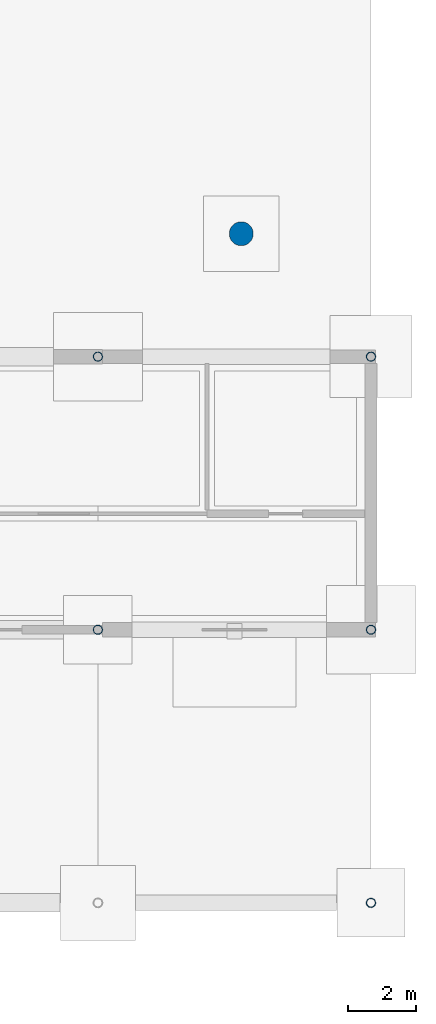
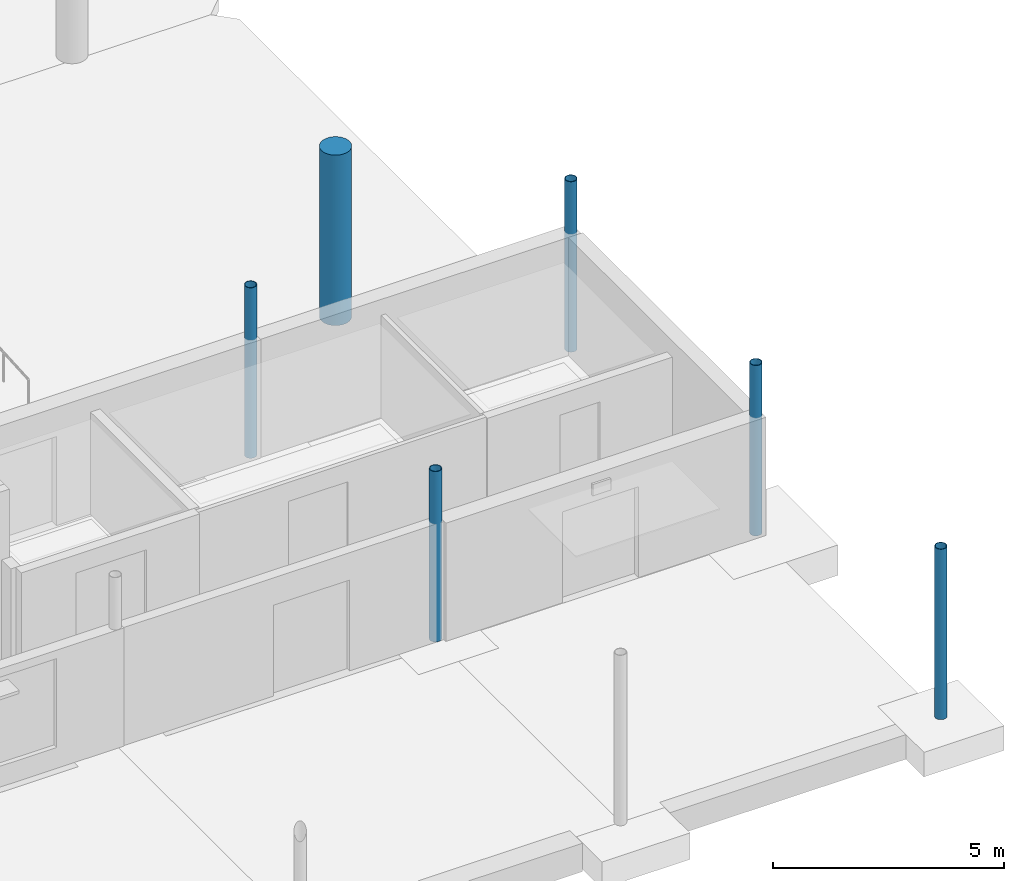
# One storey, part 10 of 63: 6 columns.
"""IFC4 building model written with IfcOpenShell, lengths in metres."""

from ifc_helpers import new_model, si_unit, direction, frame, origin, origin_2d, place, context, subcontext, project, spatial, circle, hollow_circle, extrude, material, material_profile, profile_set, type_object, element, save


model = new_model("IFC4")

# Units and contexts
model_context = context("Model", 3, precision=1e-05, world=origin(), true_north=direction((0.0, 1.0)))
body_context = subcontext(model_context, "Body", "Model", "MODEL_VIEW")
ifc_project = project(units=[si_unit("LENGTHUNIT", "METRE"), si_unit("AREAUNIT", "SQUARE_METRE"), si_unit("VOLUMEUNIT", "CUBIC_METRE"), si_unit("PLANEANGLEUNIT", "RADIAN"), si_unit("MASSUNIT", "GRAM", prefix="KILO")], contexts=[model_context])

# Site, building, storey
site_placement = place(None, origin())
site = spatial("IfcSite", under=ifc_project, at=site_placement, CompositionType="ELEMENT")
building_placement = place(site_placement, origin())
building = spatial("IfcBuilding", under=site, at=building_placement, Name="Serraforn Aerial Cableway Station", CompositionType="ELEMENT")
storey_placement = place(building_placement, origin())
storey = spatial("IfcBuildingStorey", under=building, at=storey_placement, Name="L00", CompositionType="ELEMENT", Elevation=0.0)

# Columns
ifc_material_1 = material(Name="Concrete C35/45", Category="concrete")
ifc_material_profile_1 = material_profile(ifc_material_1, circle(Radius=0.35009765625, at=origin_2d()), Name="RC D700")
ifc_profile_set_1 = profile_set([ifc_material_profile_1], Name="Concrete C35/45")
column_type_1 = type_object("IfcColumnType", Name="COL-RC-D700", PredefinedType="COLUMN", material=ifc_profile_set_1)
column_placement = place(storey_placement, frame((164.199951171875, 19.60009765625, 0.0), z_axis=(0.0, 0.0, 1.0), x_axis=(1.0, 0.0, 0.0)))
element("IfcColumn", 1, at=column_placement, inside=storey, type_object=column_type_1, Name="Art Deco Colonnade Pier EF-2-1", PredefinedType="COLUMN", context=body_context, shape_type="SweptSolid", body=[
    extrude(circle(Radius=0.35009765625, at=origin_2d()), origin(), (0.0, 0.0, 1.0), 4.5),
])
ifc_material_2 = material(Name="Steel S355J2", Category="steel")
ifc_material_profile_2 = material_profile(ifc_material_2, hollow_circle(Radius=0.136474609375, WallThickness=0.012451171875, at=origin_2d()), Name="CHS 273.0x12.5")
ifc_profile_set_2 = profile_set([ifc_material_profile_2], Name="Steel S355J2")
column_type_2 = type_object("IfcColumnType", Name="COL-ST-CHS273", PredefinedType="COLUMN", material=ifc_profile_set_2)
for number, where, z_axis, x_axis, name in (
    (2, (160.0, 8.0, 0.0), (0.0, 0.0, 1.0), (1.0, 0.0, 0.0), "Column ES L00 21-B0"),
    (3, (160.0, 16.0, 0.0), (0.0, 0.0, 1.0), (1.0, 0.0, 0.0), "Column ES L00 21-B3"),
    (4, (168.0, 0.0, 0.0), (0.0, 0.0, 1.0), (1.0, 0.0, 0.0), "Column ES L00 22-A"),
    (5, (168.0, 8.0, 0.0), (0.0, 0.0, 1.0), (1.0, 0.0, 0.0), "Column ES L00 22-B0"),
    (6, (168.0, 16.0, 0.0), (0.0, 0.0, 1.0), (1.0, 0.0, 0.0), "Column ES L00 22-B3"),
):
    element("IfcColumn", number, at=place(storey_placement, frame(where, z_axis=z_axis, x_axis=x_axis)), inside=storey, type_object=column_type_2, Name=name, PredefinedType="COLUMN", context=body_context, shape_type="SweptSolid", body=[
        extrude(hollow_circle(Radius=0.136474609375, WallThickness=0.012451171875, at=origin_2d()), origin(), (0.0, 0.0, 1.0), 4.5),
    ])

save(model, "model.ifc")
